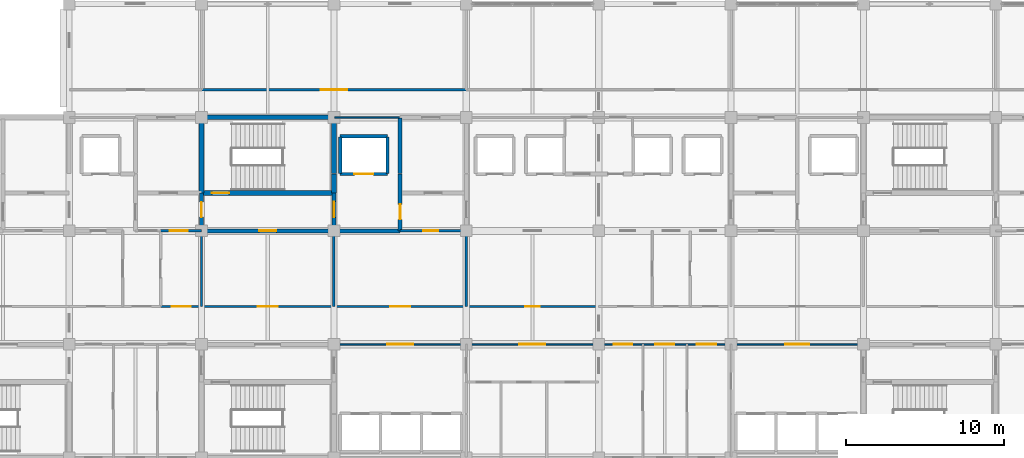
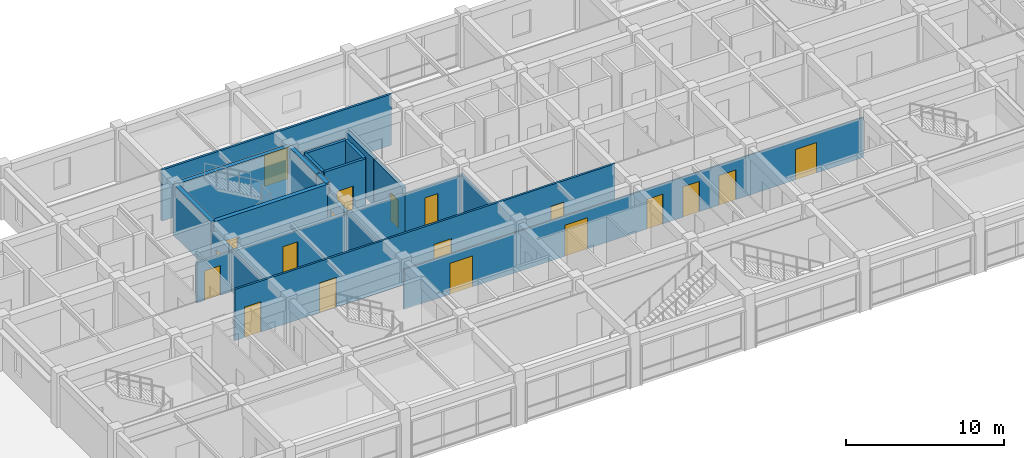
# One storey, part 17 of 27: 23 walls, 19 doors, 19 openings.
"""IFC4 building model written with IfcOpenShell, lengths in metres."""

from ifc_helpers import new_model, si_unit, direction, frame, frame_2d, origin, place, context, subcontext, project, spatial, rectangle, extrude, material, layer, layer_set, type_object, element, fill, save


model = new_model("IFC4")

# Units and contexts
model_context = context("Model", 3, precision=1e-05, world=origin(), true_north=direction((0.0, 1.0)))
body_context = subcontext(model_context, "Body", "Model", "MODEL_VIEW")
ifc_project = project(units=[si_unit("LENGTHUNIT", "METRE"), si_unit("AREAUNIT", "SQUARE_METRE"), si_unit("VOLUMEUNIT", "CUBIC_METRE"), si_unit("PLANEANGLEUNIT", "RADIAN"), si_unit("MASSUNIT", "GRAM", prefix="KILO")], contexts=[model_context])

# Site, building, storey
site_placement = place(None, origin())
site = spatial("IfcSite", under=ifc_project, at=site_placement, CompositionType="ELEMENT")
building_placement = place(site_placement, origin())
building = spatial("IfcBuilding", under=site, at=building_placement, Name="Chengyuan Square Courthouse", CompositionType="ELEMENT")
storey_placement = place(building_placement, frame((0.0, 0.0, 35.10009765625)))
storey = spatial("IfcBuildingStorey", under=building, at=storey_placement, Name="L08", CompositionType="ELEMENT", Elevation=35.10009765625)

# Wall, opening, door
ifc_material_1 = material(Name="Concrete C40", Category="concrete")
ifc_layer_1 = layer(ifc_material_1, 0.25)
ifc_layer_set_1 = layer_set([ifc_layer_1], Name="Concrete C40")
wall_type_1 = type_object("IfcWallType", Name="WL-FW1", PredefinedType="STANDARD", material=ifc_layer_set_1)
wall_1_placement = place(storey_placement, frame((58.800048828125, 100.800048828125, 0.0), z_axis=(0.0, 0.0, 1.0), x_axis=(1.0, 0.0, 0.0)))
wall_1 = element("IfcWall", 1, at=wall_1_placement, inside=storey, type_object=wall_type_1, Name="Interior Wall WL-L08-I2920", PredefinedType="STANDARD", context=body_context, shape_type="SweptSolid", body=[
    extrude(rectangle(XDim=12.599853515625, YDim=0.25, at=frame_2d((6.2998046875, 0.0))), origin(), (0.0, 0.0, 1.0), 3.099853515625),
])
opening_1_placement = place(wall_1_placement, frame((3.64990234375, 0.0, 0.0)))
opening_1 = element("IfcOpeningElement", 2, at=opening_1_placement, cuts=wall_1, Name="Opening DR-2503", PredefinedType="OPENING", context=body_context, shape_type="SweptSolid", body=[
    extrude(rectangle(XDim=1.10009765625, YDim=2.199951171875, at=frame_2d((0.550048828125, 1.10009765625))), frame((0.0, 0.136962890625, 0.0), z_axis=(0.0, -1.0, 0.0), x_axis=(1.0, 0.0, 0.0)), (0.0, 0.0, 1.0), 0.27392578125),
])
ifc_material_2 = material(Name="Steel Q235B Fire Door", Category="steel")
door_type_1 = type_object("IfcDoorType", Name="DT-10", OperationType="NOTDEFINED", PredefinedType="DOOR", material=ifc_material_2)
door_1_placement = place(opening_1_placement, origin())
door_1 = element("IfcDoor", 3, at=door_1_placement, inside=storey, type_object=door_type_1, Name="Interior Door DR-2503", OperationType="SINGLE_SWING_LEFT", OverallHeight=2.199951171875, OverallWidth=1.10009765625, PredefinedType="DOOR", context=body_context, shape_type="SweptSolid", body=[
    extrude(rectangle(XDim=1.10009765625, YDim=2.199951171875, at=frame_2d((0.550048828125, 1.10009765625))), frame((0.0, 0.02490234375, 0.0), z_axis=(0.0, -1.0, 0.0), x_axis=(1.0, 0.0, 0.0)), (0.0, 0.0, 1.0), 0.050048828125),
])
fill(opening_1, door_1)

wall_2_placement = place(storey_placement, frame((58.800048828125, 100.800048828125, 0.0), z_axis=(0.0, 0.0, 1.0), x_axis=(0.0, 1.0, 0.0)))
wall_2 = element("IfcWall", 4, at=wall_2_placement, inside=storey, type_object=wall_type_1, Name="Interior Wall WL-L08-I2997", PredefinedType="STANDARD", context=body_context, shape_type="SweptSolid", body=[
    extrude(rectangle(XDim=2.39990234375, YDim=0.25, at=frame_2d((1.199951171875, 0.0))), origin(), (0.0, 0.0, 1.0), 3.199951171875),
])
opening_2_placement = place(wall_2_placement, frame((0.87255859375, 0.0, 0.0)))
opening_2 = element("IfcOpeningElement", 5, at=opening_2_placement, cuts=wall_2, Name="Opening DR-2502", PredefinedType="OPENING", context=body_context, shape_type="SweptSolid", body=[
    extrude(rectangle(XDim=0.949951171875, YDim=2.14990234375, at=frame_2d((0.47509765625, 1.074951171875))), frame((0.0, 0.136962890625, 0.0), z_axis=(0.0, -1.0, 0.0), x_axis=(1.0, 0.0, 0.0)), (0.0, 0.0, 1.0), 0.27392578125),
])
door_type_2 = type_object("IfcDoorType", Name="DT-12", OperationType="NOTDEFINED", PredefinedType="DOOR", material=ifc_material_2)
door_2_placement = place(opening_2_placement, origin())
door_2 = element("IfcDoor", 6, at=door_2_placement, inside=storey, type_object=door_type_2, Name="Interior Door DR-2502", OperationType="SINGLE_SWING_RIGHT", OverallHeight=2.14990234375, OverallWidth=0.949951171875, PredefinedType="DOOR", context=body_context, shape_type="SweptSolid", body=[
    extrude(rectangle(XDim=0.949951171875, YDim=2.14990234375, at=frame_2d((0.47509765625, 1.074951171875))), frame((0.0, 0.02490234375, 0.0), z_axis=(0.0, -1.0, 0.0), x_axis=(1.0, 0.0, 0.0)), (0.0, 0.0, 1.0), 0.050048828125),
])
fill(opening_2, door_2)

wall_3_placement = place(storey_placement, frame((67.199951171875, 100.800048828125, 0.0), z_axis=(0.0, 0.0, 1.0), x_axis=(0.0, 1.0, 0.0)))
wall_3 = element("IfcWall", 7, at=wall_3_placement, inside=storey, type_object=wall_type_1, Name="Interior Wall WL-L08-I3005", PredefinedType="STANDARD", context=body_context, shape_type="SweptSolid", body=[
    extrude(rectangle(XDim=2.39990234375, YDim=0.25, at=frame_2d((1.199951171875, 0.0))), origin(), (0.0, 0.0, 1.0), 3.199951171875),
])
opening_3_placement = place(wall_3_placement, frame((0.847412109375, 0.0, 0.0)))
opening_3 = element("IfcOpeningElement", 8, at=opening_3_placement, cuts=wall_3, Name="Opening DR-2501", PredefinedType="OPENING", context=body_context, shape_type="SweptSolid", body=[
    extrude(rectangle(XDim=1.0, YDim=2.199951171875, at=frame_2d((0.5, 1.10009765625))), frame((0.0, 0.136962890625, 0.0), z_axis=(0.0, -1.0, 0.0), x_axis=(1.0, 0.0, 0.0)), (0.0, 0.0, 1.0), 0.27392578125),
])
door_type_3 = type_object("IfcDoorType", Name="DT-11", OperationType="NOTDEFINED", PredefinedType="DOOR", material=ifc_material_2)
door_3_placement = place(opening_3_placement, origin())
door_3 = element("IfcDoor", 9, at=door_3_placement, inside=storey, type_object=door_type_3, Name="Interior Door DR-2501", OperationType="SINGLE_SWING_LEFT", OverallHeight=2.199951171875, OverallWidth=1.0, PredefinedType="DOOR", context=body_context, shape_type="SweptSolid", body=[
    extrude(rectangle(XDim=1.0, YDim=2.199951171875, at=frame_2d((0.5, 1.10009765625))), frame((0.0, 0.02490234375, 0.0), z_axis=(0.0, -1.0, 0.0), x_axis=(1.0, 0.0, 0.0)), (0.0, 0.0, 1.0), 0.050048828125),
])
fill(opening_3, door_3)

wall_4_placement = place(storey_placement, frame((71.39990234375, 100.800048828125, 0.0), z_axis=(0.0, 0.0, 1.0), x_axis=(0.0, 1.0, 0.0)))
wall_4 = element("IfcWall", 10, at=wall_4_placement, inside=storey, type_object=wall_type_1, Name="Interior Wall WL-L08-I3012", PredefinedType="STANDARD", context=body_context, shape_type="SweptSolid", body=[
    extrude(rectangle(XDim=3.599853515625, YDim=0.25, at=frame_2d((1.7998046875, 0.0))), origin(), (0.0, 0.0, 1.0), 3.599853515625),
])
opening_4_placement = place(wall_4_placement, frame((0.72509765625, 0.0, 0.0)))
opening_4 = element("IfcOpeningElement", 11, at=opening_4_placement, cuts=wall_4, Name="Opening DR-2517", PredefinedType="OPENING", context=body_context, shape_type="SweptSolid", body=[
    extrude(rectangle(XDim=0.949951171875, YDim=2.14990234375, at=frame_2d((0.47509765625, 1.074951171875))), frame((0.0, 0.136962890625, 0.0), z_axis=(0.0, -1.0, 0.0), x_axis=(1.0, 0.0, 0.0)), (0.0, 0.0, 1.0), 0.27392578125),
])
door_4_placement = place(opening_4_placement, origin())
door_4 = element("IfcDoor", 12, at=door_4_placement, inside=storey, type_object=door_type_2, Name="Interior Door DR-2517", OperationType="SINGLE_SWING_LEFT", OverallHeight=2.14990234375, OverallWidth=0.949951171875, PredefinedType="DOOR", context=body_context, shape_type="SweptSolid", body=[
    extrude(rectangle(XDim=0.949951171875, YDim=2.14990234375, at=frame_2d((0.47509765625, 1.074951171875))), frame((0.0, 0.02490234375, 0.0), z_axis=(0.0, -1.0, 0.0), x_axis=(1.0, 0.0, 0.0)), (0.0, 0.0, 1.0), 0.050048828125),
])
fill(opening_4, door_4)

# Wall
wall_5_placement = place(storey_placement, frame((71.39990234375, 104.449951171875, 0.0), z_axis=(0.0, 0.0, 1.0), x_axis=(0.0, 1.0, 0.0)))
element("IfcWall", 13, at=wall_5_placement, inside=storey, type_object=wall_type_1, Name="Interior Wall WL-L08-I3013", PredefinedType="STANDARD", context=body_context, shape_type="SweptSolid", body=[
    extrude(rectangle(XDim=3.5, YDim=0.25, at=frame_2d((1.75, 0.0))), origin(), (0.0, 0.0, 1.0), 3.599853515625),
])

# Wall, opening, door
ifc_material_3 = material(Name="Acoustic Timber-Lined Gypsum Partition", Category="wood")
ifc_layer_2 = layer(ifc_material_3, 0.159912109375)
ifc_layer_set_2 = layer_set([ifc_layer_2], Name="Acoustic Timber-Lined Gypsum Partition")
wall_type_2 = type_object("IfcWallType", Name="WL-PT2", PredefinedType="STANDARD", material=ifc_layer_set_2)
wall_6_placement = place(storey_placement, frame((58.800048828125, 109.75, 0.0), z_axis=(0.0, 0.0, 1.0), x_axis=(1.0, 0.0, 0.0)))
wall_6 = element("IfcWall", 14, at=wall_6_placement, inside=storey, type_object=wall_type_2, Name="Interior Wall WL-L08-I2974", PredefinedType="STANDARD", context=body_context, shape_type="SweptSolid", body=[
    extrude(rectangle(XDim=16.800048828125, YDim=0.159912109375, at=frame_2d((8.39990234375, 0.0))), origin(), (0.0, 0.0, 1.0), 3.949951171875),
])
opening_5_placement = place(wall_6_placement, frame((7.550048828125, 0.0, 0.0)))
opening_5 = element("IfcOpeningElement", 15, at=opening_5_placement, cuts=wall_6, Name="Opening DR-2617", PredefinedType="OPENING", context=body_context, shape_type="SweptSolid", body=[
    extrude(rectangle(XDim=1.699951171875, YDim=2.449951171875, at=frame_2d((0.85009765625, 1.22509765625))), frame((0.0, 0.092041015625, 0.0), z_axis=(0.0, -1.0, 0.0), x_axis=(1.0, 0.0, 0.0)), (0.0, 0.0, 1.0), 0.183837890625),
])
ifc_material_4 = material(Name="Acoustic Larch Veneer Double Door")
door_type_4 = type_object("IfcDoorType", Name="DT-24", OperationType="DOUBLE_DOOR_SINGLE_SWING", PredefinedType="DOOR", material=ifc_material_4)
door_5_placement = place(opening_5_placement, frame((1.699951171875, 0.0, 0.0), z_axis=(0.0, 0.0, 1.0), x_axis=(-1.0, 0.0, 0.0)))
door_5 = element("IfcDoor", 16, at=door_5_placement, inside=storey, type_object=door_type_4, Name="Interior Door DR-2617", OperationType="DOUBLE_DOOR_SINGLE_SWING", OverallHeight=2.449951171875, OverallWidth=1.699951171875, PredefinedType="DOOR", context=body_context, shape_type="SweptSolid", body=[
    extrude(rectangle(XDim=1.699951171875, YDim=2.449951171875, at=frame_2d((0.85009765625, 1.22509765625))), frame((0.0, 0.02490234375, 0.0), z_axis=(0.0, -1.0, 0.0), x_axis=(1.0, 0.0, 0.0)), (0.0, 0.0, 1.0), 0.050048828125),
])
fill(opening_5, door_5)

# Wall, openings, doors
ifc_material_5 = material(Name="Deliberation Room Sound-Insulated Partition")
ifc_layer_3 = layer(ifc_material_5, 0.14990234375)
ifc_layer_set_3 = layer_set([ifc_layer_3], Name="Deliberation Room Sound-Insulated Partition")
wall_type_3 = type_object("IfcWallType", Name="WL-PT3", PredefinedType="STANDARD", material=ifc_layer_set_3)
wall_7_placement = place(storey_placement, frame((56.199951171875, 96.0, 0.0), z_axis=(0.0, 0.0, 1.0), x_axis=(1.0, 0.0, 0.0)))
wall_7 = element("IfcWall", 17, at=wall_7_placement, inside=storey, type_object=wall_type_3, Name="Interior Wall WL-L08-I2910", PredefinedType="STANDARD", context=body_context, shape_type="SweptSolid", body=[
    extrude(rectangle(XDim=27.800048828125, YDim=0.14990234375, at=frame_2d((13.89990234375, 0.0))), origin(), (0.0, 0.0, 1.0), 3.949951171875),
])
opening_6_placement = place(wall_7_placement, frame((0.699951171875, 0.0, 0.0)))
opening_6 = element("IfcOpeningElement", 18, at=opening_6_placement, cuts=wall_7, Name="Opening DR-2568", PredefinedType="OPENING", context=body_context, shape_type="SweptSolid", body=[
    extrude(rectangle(XDim=1.199951171875, YDim=2.35009765625, at=frame_2d((0.60009765625, 1.175048828125))), frame((0.0, 0.0869140625, 0.0), z_axis=(0.0, -1.0, 0.0), x_axis=(1.0, 0.0, 0.0)), (0.0, 0.0, 1.0), 0.173828125),
])
opening_7_placement = place(wall_7_placement, frame((6.179931640625, 0.0, 0.0)))
opening_7 = element("IfcOpeningElement", 19, at=opening_7_placement, cuts=wall_7, Name="Opening DR-2569", PredefinedType="OPENING", context=body_context, shape_type="SweptSolid", body=[
    extrude(rectangle(XDim=1.239990234375, YDim=2.300048828125, at=frame_2d((0.6201171875, 1.14990234375))), frame((0.0, 0.0869140625, 0.0), z_axis=(0.0, -1.0, 0.0), x_axis=(1.0, 0.0, 0.0)), (0.0, 0.0, 1.0), 0.173828125),
])
opening_8_placement = place(wall_7_placement, frame((14.56005859375, 0.0, 0.0)))
opening_8 = element("IfcOpeningElement", 20, at=opening_8_placement, cuts=wall_7, Name="Opening DR-2570", PredefinedType="OPENING", context=body_context, shape_type="SweptSolid", body=[
    extrude(rectangle(XDim=1.280029296875, YDim=2.35009765625, at=frame_2d((0.64013671875, 1.175048828125))), frame((0.0, 0.0869140625, 0.0), z_axis=(0.0, -1.0, 0.0), x_axis=(1.0, 0.0, 0.0)), (0.0, 0.0, 1.0), 0.173828125),
])
opening_9_placement = place(wall_7_placement, frame((23.1298828125, 0.0, 0.0)))
opening_9 = element("IfcOpeningElement", 21, at=opening_9_placement, cuts=wall_7, Name="Opening DR-2571", PredefinedType="OPENING", context=body_context, shape_type="SweptSolid", body=[
    extrude(rectangle(XDim=0.93994140625, YDim=2.300048828125, at=frame_2d((0.469970703125, 1.14990234375))), frame((0.0, 0.0869140625, 0.0), z_axis=(0.0, -1.0, 0.0), x_axis=(1.0, 0.0, 0.0)), (0.0, 0.0, 1.0), 0.173828125),
])
ifc_material_6 = material(Name="Acoustic Solid-Core Timber Door", Category="wood")
door_type_5 = type_object("IfcDoorType", Name="DT-36", OperationType="NOTDEFINED", PredefinedType="DOOR", material=ifc_material_6)
door_6_placement = place(opening_6_placement, origin())
door_6 = element("IfcDoor", 22, at=door_6_placement, inside=storey, type_object=door_type_5, Name="Interior Door DR-2568", OperationType="SINGLE_SWING_RIGHT", OverallHeight=2.35009765625, OverallWidth=1.199951171875, PredefinedType="DOOR", context=body_context, shape_type="SweptSolid", body=[
    extrude(rectangle(XDim=1.199951171875, YDim=2.35009765625, at=frame_2d((0.60009765625, 1.175048828125))), frame((0.0, 0.02490234375, 0.0), z_axis=(0.0, -1.0, 0.0), x_axis=(1.0, 0.0, 0.0)), (0.0, 0.0, 1.0), 0.050048828125),
])
fill(opening_6, door_6)
door_type_6 = type_object("IfcDoorType", Name="DT-37", OperationType="NOTDEFINED", PredefinedType="DOOR", material=ifc_material_6)
door_7_placement = place(opening_7_placement, origin())
door_7 = element("IfcDoor", 23, at=door_7_placement, inside=storey, type_object=door_type_6, Name="Interior Door DR-2569", OperationType="SINGLE_SWING_LEFT", OverallHeight=2.300048828125, OverallWidth=1.239990234375, PredefinedType="DOOR", context=body_context, shape_type="SweptSolid", body=[
    extrude(rectangle(XDim=1.239990234375, YDim=2.300048828125, at=frame_2d((0.6201171875, 1.14990234375))), frame((0.0, 0.02490234375, 0.0), z_axis=(0.0, -1.0, 0.0), x_axis=(1.0, 0.0, 0.0)), (0.0, 0.0, 1.0), 0.050048828125),
])
fill(opening_7, door_7)
door_type_7 = type_object("IfcDoorType", Name="DT-38", OperationType="NOTDEFINED", PredefinedType="DOOR", material=ifc_material_6)
door_8_placement = place(opening_8_placement, origin())
door_8 = element("IfcDoor", 24, at=door_8_placement, inside=storey, type_object=door_type_7, Name="Interior Door DR-2570", OperationType="SINGLE_SWING_RIGHT", OverallHeight=2.35009765625, OverallWidth=1.280029296875, PredefinedType="DOOR", context=body_context, shape_type="SweptSolid", body=[
    extrude(rectangle(XDim=1.280029296875, YDim=2.35009765625, at=frame_2d((0.64013671875, 1.175048828125))), frame((0.0, 0.02490234375, 0.0), z_axis=(0.0, -1.0, 0.0), x_axis=(1.0, 0.0, 0.0)), (0.0, 0.0, 1.0), 0.050048828125),
])
fill(opening_8, door_8)
door_type_8 = type_object("IfcDoorType", Name="DT-39", OperationType="NOTDEFINED", PredefinedType="DOOR", material=ifc_material_6)
door_9_placement = place(opening_9_placement, origin())
door_9 = element("IfcDoor", 25, at=door_9_placement, inside=storey, type_object=door_type_8, Name="Interior Door DR-2571", OperationType="SINGLE_SWING_LEFT", OverallHeight=2.300048828125, OverallWidth=0.93994140625, PredefinedType="DOOR", context=body_context, shape_type="SweptSolid", body=[
    extrude(rectangle(XDim=0.93994140625, YDim=2.300048828125, at=frame_2d((0.469970703125, 1.14990234375))), frame((0.0, 0.02490234375, 0.0), z_axis=(0.0, -1.0, 0.0), x_axis=(1.0, 0.0, 0.0)), (0.0, 0.0, 1.0), 0.050048828125),
])
fill(opening_9, door_9)

# Wall, opening, door
wall_8_placement = place(storey_placement, frame((56.199951171875, 100.800048828125, 0.0), z_axis=(0.0, 0.0, 1.0), x_axis=(1.0, 0.0, 0.0)))
wall_8 = element("IfcWall", 26, at=wall_8_placement, inside=storey, type_object=wall_type_3, Name="Interior Wall WL-L08-I2919", PredefinedType="STANDARD", context=body_context, shape_type="SweptSolid", body=[
    extrude(rectangle(XDim=2.60009765625, YDim=0.14990234375, at=frame_2d((1.300048828125, 0.0))), origin(), (0.0, 0.0, 1.0), 3.099853515625),
])
opening_10_placement = place(wall_8_placement, frame((0.572509765625, 0.0, 0.0)))
opening_10 = element("IfcOpeningElement", 27, at=opening_10_placement, cuts=wall_8, Name="Opening DR-2550", PredefinedType="OPENING", context=body_context, shape_type="SweptSolid", body=[
    extrude(rectangle(XDim=1.159912109375, YDim=2.300048828125, at=frame_2d((0.580078125, 1.14990234375))), frame((0.0, 0.0869140625, 0.0), z_axis=(0.0, -1.0, 0.0), x_axis=(1.0, 0.0, 0.0)), (0.0, 0.0, 1.0), 0.173828125),
])
door_type_9 = type_object("IfcDoorType", Name="DT-35", OperationType="NOTDEFINED", PredefinedType="DOOR", material=ifc_material_6)
door_10_placement = place(opening_10_placement, origin())
door_10 = element("IfcDoor", 28, at=door_10_placement, inside=storey, type_object=door_type_9, Name="Interior Door DR-2550", OperationType="SINGLE_SWING_LEFT", OverallHeight=2.300048828125, OverallWidth=1.159912109375, PredefinedType="DOOR", context=body_context, shape_type="SweptSolid", body=[
    extrude(rectangle(XDim=1.159912109375, YDim=2.300048828125, at=frame_2d((0.580078125, 1.14990234375))), frame((0.0, 0.02490234375, 0.0), z_axis=(0.0, -1.0, 0.0), x_axis=(1.0, 0.0, 0.0)), (0.0, 0.0, 1.0), 0.050048828125),
])
fill(opening_10, door_10)

wall_9_placement = place(storey_placement, frame((71.39990234375, 100.800048828125, 0.0), z_axis=(0.0, 0.0, 1.0), x_axis=(1.0, 0.0, 0.0)))
wall_9 = element("IfcWall", 29, at=wall_9_placement, inside=storey, type_object=wall_type_3, Name="Interior Wall WL-L08-I2921", PredefinedType="STANDARD", context=body_context, shape_type="SweptSolid", body=[
    extrude(rectangle(XDim=4.2001953125, YDim=0.14990234375, at=frame_2d((2.10009765625, 0.0))), origin(), (0.0, 0.0, 1.0), 3.099853515625),
])
opening_11_placement = place(wall_9_placement, frame((1.482421875, 0.0, 0.0)))
opening_11 = element("IfcOpeningElement", 30, at=opening_11_placement, cuts=wall_9, Name="Opening DR-2520", PredefinedType="OPENING", context=body_context, shape_type="SweptSolid", body=[
    extrude(rectangle(XDim=0.93994140625, YDim=2.300048828125, at=frame_2d((0.469970703125, 1.14990234375))), frame((0.0, 0.0869140625, 0.0), z_axis=(0.0, -1.0, 0.0), x_axis=(1.0, 0.0, 0.0)), (0.0, 0.0, 1.0), 0.173828125),
])
door_11_placement = place(opening_11_placement, origin())
door_11 = element("IfcDoor", 31, at=door_11_placement, inside=storey, type_object=door_type_8, Name="Interior Door DR-2520", OperationType="SINGLE_SWING_RIGHT", OverallHeight=2.300048828125, OverallWidth=0.93994140625, PredefinedType="DOOR", context=body_context, shape_type="SweptSolid", body=[
    extrude(rectangle(XDim=0.93994140625, YDim=2.300048828125, at=frame_2d((0.469970703125, 1.14990234375))), frame((0.0, 0.02490234375, 0.0), z_axis=(0.0, -1.0, 0.0), x_axis=(1.0, 0.0, 0.0)), (0.0, 0.0, 1.0), 0.050048828125),
])
fill(opening_11, door_11)

# Walls
for number, where, z_axis, x_axis, name in (
    (32, (58.800048828125, 96.0, 0.0), (0.0, 0.0, 1.0), (0.0, 1.0, 0.0), "Interior Wall WL-L08-I2996"),
    (33, (67.199951171875, 96.0, 0.0), (0.0, 0.0, 1.0), (0.0, 1.0, 0.0), "Interior Wall WL-L08-I3004"),
    (34, (75.60009765625, 96.0, 0.0), (0.0, 0.0, 1.0), (0.0, 1.0, 0.0), "Interior Wall WL-L08-I3019"),
):
    element("IfcWall", number, at=place(storey_placement, frame(where, z_axis=z_axis, x_axis=x_axis)), inside=storey, type_object=wall_type_3, Name=name, PredefinedType="STANDARD", context=body_context, shape_type="SweptSolid", body=[
        extrude(rectangle(XDim=4.800048828125, YDim=0.14990234375, at=frame_2d((2.39990234375, 0.0))), origin(), (0.0, 0.0, 1.0), 3.199951171875),
    ])

# Wall, openings, doors
ifc_material_7 = material(Name="Gypsum Plasterboard Acoustic Stud Partition")
ifc_layer_4 = layer(ifc_material_7, 0.10009765625)
ifc_layer_set_4 = layer_set([ifc_layer_4], Name="Gypsum Plasterboard Acoustic Stud Partition")
wall_type_4 = type_object("IfcWallType", Name="WL-PT6", PredefinedType="STANDARD", material=ifc_layer_set_4)
wall_10_placement = place(storey_placement, frame((67.199951171875, 93.60009765625, 0.0), z_axis=(0.0, 0.0, 1.0), x_axis=(1.0, 0.0, 0.0)))
wall_10 = element("IfcWall", 35, at=wall_10_placement, inside=storey, type_object=wall_type_4, Name="Interior Wall WL-L08-I2904", PredefinedType="STANDARD", context=body_context, shape_type="SweptSolid", body=[
    extrude(rectangle(XDim=33.60009765625, YDim=0.10009765625, at=frame_2d((16.800048828125, 0.0))), origin(), (0.0, 0.0, 1.0), 3.099853515625),
])
opening_12_placement = place(wall_10_placement, frame((3.375, 0.0, 0.0)))
opening_12 = element("IfcOpeningElement", 36, at=opening_12_placement, cuts=wall_10, Name="Opening DR-2543", PredefinedType="OPENING", context=body_context, shape_type="SweptSolid", body=[
    extrude(rectangle(XDim=1.64990234375, YDim=2.39990234375, at=frame_2d((0.824951171875, 1.199951171875))), frame((0.0, 0.06201171875, 0.0), z_axis=(0.0, -1.0, 0.0), x_axis=(1.0, 0.0, 0.0)), (0.0, 0.0, 1.0), 0.1240234375),
])
opening_13_placement = place(wall_10_placement, frame((28.625, 0.0, 0.0)))
opening_13 = element("IfcOpeningElement", 37, at=opening_13_placement, cuts=wall_10, Name="Opening DR-2544", PredefinedType="OPENING", context=body_context, shape_type="SweptSolid", body=[
    extrude(rectangle(XDim=1.550048828125, YDim=2.35009765625, at=frame_2d((0.77490234375, 1.175048828125))), frame((0.0, 0.06201171875, 0.0), z_axis=(0.0, -1.0, 0.0), x_axis=(1.0, 0.0, 0.0)), (0.0, 0.0, 1.0), 0.1240234375),
])
opening_14_placement = place(wall_10_placement, frame((11.77490234375, 0.0, 0.0)))
opening_14 = element("IfcOpeningElement", 38, at=opening_14_placement, cuts=wall_10, Name="Opening DR-2561", PredefinedType="OPENING", context=body_context, shape_type="SweptSolid", body=[
    extrude(rectangle(XDim=1.64990234375, YDim=2.39990234375, at=frame_2d((0.824951171875, 1.199951171875))), frame((0.0, 0.06201171875, 0.0), z_axis=(0.0, -1.0, 0.0), x_axis=(1.0, 0.0, 0.0)), (0.0, 0.0, 1.0), 0.1240234375),
])
opening_15_placement = place(wall_10_placement, frame((17.767578125, 0.0, 0.0)))
opening_15 = element("IfcOpeningElement", 39, at=opening_15_placement, cuts=wall_10, Name="Opening DR-2584", PredefinedType="OPENING", context=body_context, shape_type="SweptSolid", body=[
    extrude(rectangle(XDim=1.159912109375, YDim=2.300048828125, at=frame_2d((0.580078125, 1.14990234375))), frame((0.0, 0.06201171875, 0.0), z_axis=(0.0, -1.0, 0.0), x_axis=(1.0, 0.0, 0.0)), (0.0, 0.0, 1.0), 0.1240234375),
])
opening_16_placement = place(wall_10_placement, frame((20.39990234375, 0.0, 0.0)))
opening_16 = element("IfcOpeningElement", 40, at=opening_16_placement, cuts=wall_10, Name="Opening DR-2585", PredefinedType="OPENING", context=body_context, shape_type="SweptSolid", body=[
    extrude(rectangle(XDim=1.199951171875, YDim=2.35009765625, at=frame_2d((0.60009765625, 1.175048828125))), frame((0.0, 0.06201171875, 0.0), z_axis=(0.0, -1.0, 0.0), x_axis=(1.0, 0.0, 0.0)), (0.0, 0.0, 1.0), 0.1240234375),
])
opening_17_placement = place(wall_10_placement, frame((23.032470703125, 0.0, 0.0)))
opening_17 = element("IfcOpeningElement", 41, at=opening_17_placement, cuts=wall_10, Name="Opening DR-2586", PredefinedType="OPENING", context=body_context, shape_type="SweptSolid", body=[
    extrude(rectangle(XDim=1.239990234375, YDim=2.300048828125, at=frame_2d((0.6201171875, 1.14990234375))), frame((0.0, 0.06201171875, 0.0), z_axis=(0.0, -1.0, 0.0), x_axis=(1.0, 0.0, 0.0)), (0.0, 0.0, 1.0), 0.1240234375),
])
door_type_10 = type_object("IfcDoorType", Name="DT-22", OperationType="DOUBLE_DOOR_SINGLE_SWING", PredefinedType="DOOR", material=ifc_material_4)
door_12_placement = place(opening_12_placement, frame((1.64990234375, 0.0, 0.0), z_axis=(0.0, 0.0, 1.0), x_axis=(-1.0, 0.0, 0.0)))
door_12 = element("IfcDoor", 42, at=door_12_placement, inside=storey, type_object=door_type_10, Name="Interior Door DR-2543", OperationType="DOUBLE_DOOR_SINGLE_SWING", OverallHeight=2.39990234375, OverallWidth=1.64990234375, PredefinedType="DOOR", context=body_context, shape_type="SweptSolid", body=[
    extrude(rectangle(XDim=1.64990234375, YDim=2.39990234375, at=frame_2d((0.824951171875, 1.199951171875))), frame((0.0, 0.02490234375, 0.0), z_axis=(0.0, -1.0, 0.0), x_axis=(1.0, 0.0, 0.0)), (0.0, 0.0, 1.0), 0.050048828125),
])
fill(opening_12, door_12)
door_13_placement = place(opening_14_placement, frame((1.64990234375, 0.0, 0.0), z_axis=(0.0, 0.0, 1.0), x_axis=(-1.0, 0.0, 0.0)))
door_13 = element("IfcDoor", 43, at=door_13_placement, inside=storey, type_object=door_type_10, Name="Interior Door DR-2561", OperationType="DOUBLE_DOOR_SINGLE_SWING", OverallHeight=2.39990234375, OverallWidth=1.64990234375, PredefinedType="DOOR", context=body_context, shape_type="SweptSolid", body=[
    extrude(rectangle(XDim=1.64990234375, YDim=2.39990234375, at=frame_2d((0.824951171875, 1.199951171875))), frame((0.0, 0.02490234375, 0.0), z_axis=(0.0, -1.0, 0.0), x_axis=(1.0, 0.0, 0.0)), (0.0, 0.0, 1.0), 0.050048828125),
])
fill(opening_14, door_13)
door_type_11 = type_object("IfcDoorType", Name="DT-23", OperationType="DOUBLE_DOOR_SINGLE_SWING", PredefinedType="DOOR", material=ifc_material_4)
door_14_placement = place(opening_13_placement, frame((1.550048828125, 0.0, 0.0), z_axis=(0.0, 0.0, 1.0), x_axis=(-1.0, 0.0, 0.0)))
door_14 = element("IfcDoor", 44, at=door_14_placement, inside=storey, type_object=door_type_11, Name="Interior Door DR-2544", OperationType="DOUBLE_DOOR_SINGLE_SWING", OverallHeight=2.35009765625, OverallWidth=1.550048828125, PredefinedType="DOOR", context=body_context, shape_type="SweptSolid", body=[
    extrude(rectangle(XDim=1.550048828125, YDim=2.35009765625, at=frame_2d((0.77490234375, 1.175048828125))), frame((0.0, 0.02490234375, 0.0), z_axis=(0.0, -1.0, 0.0), x_axis=(1.0, 0.0, 0.0)), (0.0, 0.0, 1.0), 0.050048828125),
])
fill(opening_13, door_14)
door_15_placement = place(opening_15_placement, origin())
door_15 = element("IfcDoor", 45, at=door_15_placement, inside=storey, type_object=door_type_9, Name="Interior Door DR-2584", OperationType="SINGLE_SWING_RIGHT", OverallHeight=2.300048828125, OverallWidth=1.159912109375, PredefinedType="DOOR", context=body_context, shape_type="SweptSolid", body=[
    extrude(rectangle(XDim=1.159912109375, YDim=2.300048828125, at=frame_2d((0.580078125, 1.14990234375))), frame((0.0, 0.02490234375, 0.0), z_axis=(0.0, -1.0, 0.0), x_axis=(1.0, 0.0, 0.0)), (0.0, 0.0, 1.0), 0.050048828125),
])
fill(opening_15, door_15)
door_16_placement = place(opening_16_placement, origin())
door_16 = element("IfcDoor", 46, at=door_16_placement, inside=storey, type_object=door_type_5, Name="Interior Door DR-2585", OperationType="SINGLE_SWING_LEFT", OverallHeight=2.35009765625, OverallWidth=1.199951171875, PredefinedType="DOOR", context=body_context, shape_type="SweptSolid", body=[
    extrude(rectangle(XDim=1.199951171875, YDim=2.35009765625, at=frame_2d((0.60009765625, 1.175048828125))), frame((0.0, 0.02490234375, 0.0), z_axis=(0.0, -1.0, 0.0), x_axis=(1.0, 0.0, 0.0)), (0.0, 0.0, 1.0), 0.050048828125),
])
fill(opening_16, door_16)
door_17_placement = place(opening_17_placement, origin())
door_17 = element("IfcDoor", 47, at=door_17_placement, inside=storey, type_object=door_type_6, Name="Interior Door DR-2586", OperationType="SINGLE_SWING_RIGHT", OverallHeight=2.300048828125, OverallWidth=1.239990234375, PredefinedType="DOOR", context=body_context, shape_type="SweptSolid", body=[
    extrude(rectangle(XDim=1.239990234375, YDim=2.300048828125, at=frame_2d((0.6201171875, 1.14990234375))), frame((0.0, 0.02490234375, 0.0), z_axis=(0.0, -1.0, 0.0), x_axis=(1.0, 0.0, 0.0)), (0.0, 0.0, 1.0), 0.050048828125),
])
fill(opening_17, door_17)

# Wall
wall_11_placement = place(storey_placement, frame((67.25, 108.0, 0.0), z_axis=(0.0, 0.0, 1.0), x_axis=(1.0, 0.0, 0.0)))
element("IfcWall", 48, at=wall_11_placement, inside=storey, type_object=wall_type_4, Name="Interior Wall WL-L08-I2963", PredefinedType="STANDARD", context=body_context, shape_type="SweptSolid", body=[
    extrude(rectangle(XDim=4.10009765625, YDim=0.10009765625, at=frame_2d((2.050048828125, 0.0))), origin(), (0.0, 0.0, 1.0), 3.099853515625),
])

# Wall, opening, door
ifc_material_8 = material(Name="Reinforced Masonry Shaft Enclosure", Category="masonry")
ifc_layer_5 = layer(ifc_material_8, 0.199951171875)
ifc_layer_set_5 = layer_set([ifc_layer_5], Name="Reinforced Masonry Shaft Enclosure")
wall_type_5 = type_object("IfcWallType", Name="WL-SH1", PredefinedType="STANDARD", material=ifc_layer_set_5)
wall_12_placement = place(storey_placement, frame((67.60009765625, 104.39990234375, 0.0), z_axis=(0.0, 0.0, 1.0), x_axis=(1.0, 0.0, 0.0)))
wall_12 = element("IfcWall", 49, at=wall_12_placement, inside=storey, type_object=wall_type_5, Name="Interior Wall WL-L08-I2940", PredefinedType="STANDARD", context=body_context, shape_type="SweptSolid", body=[
    extrude(rectangle(XDim=3.0, YDim=0.199951171875, at=frame_2d((1.5, 0.0))), origin(), (0.0, 0.0, 1.0), 3.949951171875),
])
opening_18_placement = place(wall_12_placement, frame((0.89990234375, 0.0, 0.0)))
opening_18 = element("IfcOpeningElement", 50, at=opening_18_placement, cuts=wall_12, Name="Opening LD-133", PredefinedType="OPENING", context=body_context, shape_type="SweptSolid", body=[
    extrude(rectangle(XDim=1.199951171875, YDim=2.14990234375, at=frame_2d((0.60009765625, 1.074951171875))), frame((0.0, 0.112060546875, 0.0), z_axis=(0.0, -1.0, 0.0), x_axis=(1.0, 0.0, 0.0)), (0.0, 0.0, 1.0), 0.223876953125),
])
ifc_material_9 = material(Name="Stainless Steel S30408 Lift Landing Door", Category="steel")
door_type_12 = type_object("IfcDoorType", Name="DT-05", OperationType="DOUBLE_DOOR_SLIDING", PredefinedType="DOOR", material=ifc_material_9)
door_18_placement = place(opening_18_placement, origin())
door_18 = element("IfcDoor", 51, at=door_18_placement, inside=storey, type_object=door_type_12, Name="Lift Landing Door LF-F1 L08", OperationType="DOUBLE_DOOR_SLIDING", OverallHeight=2.14990234375, OverallWidth=1.199951171875, PredefinedType="DOOR", context=body_context, shape_type="SweptSolid", body=[
    extrude(rectangle(XDim=1.199951171875, YDim=2.14990234375, at=frame_2d((0.60009765625, 1.074951171875))), frame((0.0, 0.02490234375, 0.0), z_axis=(0.0, -1.0, 0.0), x_axis=(1.0, 0.0, 0.0)), (0.0, 0.0, 1.0), 0.050048828125),
])
fill(opening_18, door_18)

# Walls
wall_13_placement = place(storey_placement, frame((67.60009765625, 106.800048828125, 0.0), z_axis=(0.0, 0.0, 1.0), x_axis=(1.0, 0.0, 0.0)))
element("IfcWall", 52, at=wall_13_placement, inside=storey, type_object=wall_type_5, Name="Interior Wall WL-L08-I2952", PredefinedType="STANDARD", context=body_context, shape_type="SweptSolid", body=[
    extrude(rectangle(XDim=3.0, YDim=0.199951171875, at=frame_2d((1.5, 0.0))), origin(), (0.0, 0.0, 1.0), 3.949951171875),
])
for number, where, z_axis, x_axis, name in (
    (53, (67.60009765625, 104.449951171875, 0.0), (0.0, 0.0, 1.0), (0.0, 1.0, 0.0), "Interior Wall WL-L08-I3009"),
    (54, (70.60009765625, 104.449951171875, 0.0), (0.0, 0.0, 1.0), (0.0, 1.0, 0.0), "Interior Wall WL-L08-I3011"),
):
    element("IfcWall", number, at=place(storey_placement, frame(where, z_axis=z_axis, x_axis=x_axis)), inside=storey, type_object=wall_type_5, Name=name, PredefinedType="STANDARD", context=body_context, shape_type="SweptSolid", body=[
        extrude(rectangle(XDim=2.300048828125, YDim=0.199951171875, at=frame_2d((1.14990234375, 0.0))), origin(), (0.0, 0.0, 1.0), 3.949951171875),
    ])

# Wall, opening, door
ifc_layer_6 = layer(ifc_material_1, 0.300048828125)
ifc_layer_set_6 = layer_set([ifc_layer_6], Name="Concrete C40")
wall_type_6 = type_object("IfcWallType", Name="WL-SW2", PredefinedType="SHEAR", material=ifc_layer_set_6)
wall_14_placement = place(storey_placement, frame((58.800048828125, 103.199951171875, 0.0), z_axis=(0.0, 0.0, 1.0), x_axis=(1.0, 0.0, 0.0)))
wall_14 = element("IfcWall", 55, at=wall_14_placement, inside=storey, type_object=wall_type_6, Name="Interior Wall WL-L08-I2931", PredefinedType="SHEAR", context=body_context, shape_type="SweptSolid", body=[
    extrude(rectangle(XDim=8.39990234375, YDim=0.300048828125, at=frame_2d((4.199951171875, 0.0))), origin(), (0.0, 0.0, 1.0), 3.949951171875),
])
opening_19_placement = place(wall_14_placement, frame((0.64990234375, 0.0, 0.0)))
opening_19 = element("IfcOpeningElement", 56, at=opening_19_placement, cuts=wall_14, Name="Opening DR-2495", PredefinedType="OPENING", context=body_context, shape_type="SweptSolid", body=[
    extrude(rectangle(XDim=1.10009765625, YDim=2.199951171875, at=frame_2d((0.550048828125, 1.10009765625))), frame((0.0, 0.162109375, 0.0), z_axis=(0.0, -1.0, 0.0), x_axis=(1.0, 0.0, 0.0)), (0.0, 0.0, 1.0), 0.323974609375),
])
door_19_placement = place(opening_19_placement, origin())
door_19 = element("IfcDoor", 57, at=door_19_placement, inside=storey, type_object=door_type_1, Name="Smoke-Proof Stairwell Fire Door ST-1 DR-2495", OperationType="SINGLE_SWING_LEFT", OverallHeight=2.199951171875, OverallWidth=1.10009765625, PredefinedType="DOOR", context=body_context, shape_type="SweptSolid", body=[
    extrude(rectangle(XDim=1.10009765625, YDim=2.199951171875, at=frame_2d((0.550048828125, 1.10009765625))), frame((0.0, 0.02490234375, 0.0), z_axis=(0.0, -1.0, 0.0), x_axis=(1.0, 0.0, 0.0)), (0.0, 0.0, 1.0), 0.050048828125),
])
fill(opening_19, door_19)

# Walls
wall_15_placement = place(storey_placement, frame((58.800048828125, 108.0, 0.0), z_axis=(0.0, 0.0, 1.0), x_axis=(1.0, 0.0, 0.0)))
element("IfcWall", 58, at=wall_15_placement, inside=storey, type_object=wall_type_6, Name="Interior Wall WL-L08-I2962", PredefinedType="SHEAR", context=body_context, shape_type="SweptSolid", body=[
    extrude(rectangle(XDim=8.39990234375, YDim=0.300048828125, at=frame_2d((4.199951171875, 0.0))), origin(), (0.0, 0.0, 1.0), 3.949951171875),
])
wall_16_placement = place(storey_placement, frame((58.800048828125, 103.199951171875, 0.0), z_axis=(0.0, 0.0, 1.0), x_axis=(0.0, 1.0, 0.0)))
element("IfcWall", 59, at=wall_16_placement, inside=storey, type_object=wall_type_6, Name="Interior Wall WL-L08-I2998", PredefinedType="SHEAR", context=body_context, shape_type="SweptSolid", body=[
    extrude(rectangle(XDim=4.800048828125, YDim=0.300048828125, at=frame_2d((2.39990234375, 0.0))), origin(), (0.0, 0.0, 1.0), 3.949951171875),
])
wall_17_placement = place(storey_placement, frame((67.199951171875, 103.199951171875, 0.0), z_axis=(0.0, 0.0, 1.0), x_axis=(0.0, 1.0, 0.0)))
element("IfcWall", 60, at=wall_17_placement, inside=storey, type_object=wall_type_6, Name="Interior Wall WL-L08-I3006", PredefinedType="SHEAR", context=body_context, shape_type="SweptSolid", body=[
    extrude(rectangle(XDim=1.199951171875, YDim=0.300048828125, at=frame_2d((0.60009765625, 0.0))), origin(), (0.0, 0.0, 1.0), 3.949951171875),
])
wall_18_placement = place(storey_placement, frame((67.199951171875, 104.449951171875, 0.0), z_axis=(0.0, 0.0, 1.0), x_axis=(0.0, 1.0, 0.0)))
element("IfcWall", 61, at=wall_18_placement, inside=storey, type_object=wall_type_6, Name="Interior Wall WL-L08-I3007", PredefinedType="SHEAR", context=body_context, shape_type="SweptSolid", body=[
    extrude(rectangle(XDim=3.5, YDim=0.300048828125, at=frame_2d((1.75, 0.0))), origin(), (0.0, 0.0, 1.0), 3.949951171875),
])

save(model, "model.ifc")
